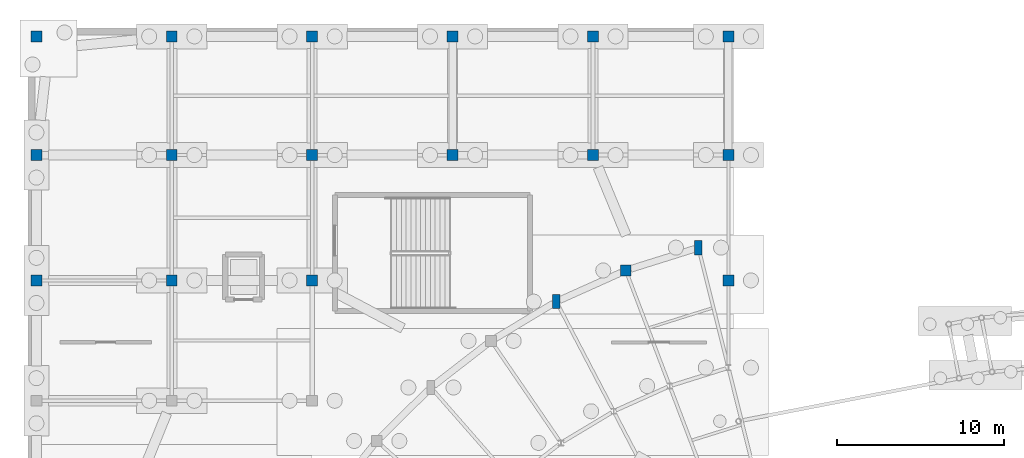
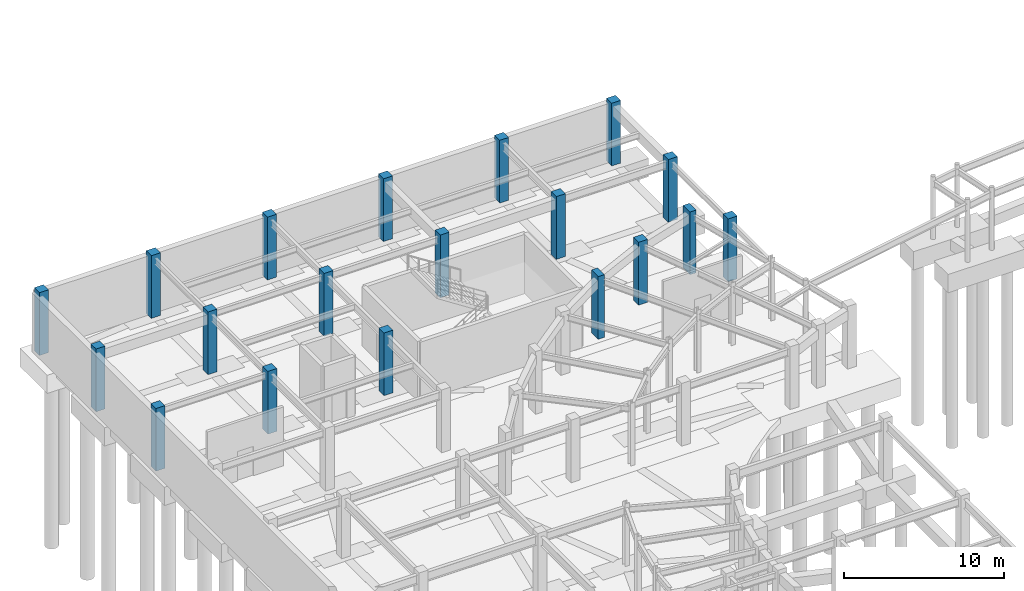
# One storey, part 19 of 68: 19 columns.
"""IFC4 building model written with IfcOpenShell, lengths in metres."""

from ifc_helpers import new_model, si_unit, direction, frame, origin, origin_2d, place, context, subcontext, project, spatial, rectangle, extrude, material, material_profile, profile_set, type_object, element, save


model = new_model("IFC4")

# Units and contexts
model_context = context("Model", 3, precision=1e-05, world=origin(), true_north=direction((0.0, 1.0)))
body_context = subcontext(model_context, "Body", "Model", "MODEL_VIEW")
ifc_project = project(units=[si_unit("LENGTHUNIT", "METRE"), si_unit("AREAUNIT", "SQUARE_METRE"), si_unit("VOLUMEUNIT", "CUBIC_METRE"), si_unit("PLANEANGLEUNIT", "RADIAN"), si_unit("MASSUNIT", "GRAM", prefix="KILO")], contexts=[model_context])

# Site, building, storey
site_placement = place(None, origin())
site = spatial("IfcSite", under=ifc_project, at=site_placement, CompositionType="ELEMENT")
building_placement = place(site_placement, origin())
building = spatial("IfcBuilding", under=site, at=building_placement, Name="Cinderbank Siding Concert Hall", CompositionType="ELEMENT")
storey_placement = place(building_placement, frame((0.0, 0.0, -4.800048828125)))
storey = spatial("IfcBuildingStorey", under=building, at=storey_placement, Name="B1", CompositionType="ELEMENT", Elevation=-4.800048828125)

# Columns
ifc_material = material(Name="Reinforced concrete AS 3600 N50 (50 MPa)", Category="concrete")
ifc_material_profile_1 = material_profile(ifc_material, rectangle(XDim=0.64990234375, YDim=0.64990234375, at=origin_2d()), Name="RC-COL-650x650", Category="LoadBearing")
ifc_profile_set_1 = profile_set([ifc_material_profile_1], Name="Reinforced concrete AS 3600 N50 (50 MPa)")
column_type_1 = type_object("IfcColumnType", Name="C-RC650 RC-COL-650x650", PredefinedType="COLUMN", material=ifc_profile_set_1)
for number, where, z_axis, x_axis, name in (
    (1, (42.364013671875, 103.89697265625, 0.0), (0.0, 0.0, 1.0), (1.0, 0.0, 0.0), "B1 Column COL-WOUT-02"),
    (2, (7.10009765625, 103.300048828125, 0.0), (0.0, 0.0, 1.0), (1.0, 0.0, 0.0), "B1 Column COL-NW-1-2"),
    (3, (7.10009765625, 110.800048828125, 0.0), (0.0, 0.0, 1.0), (1.0, 0.0, 0.0), "B1 Column COL-NW-1-3"),
    (4, (7.10009765625, 117.89990234375, 0.0), (0.0, 0.0, 1.0), (1.0, 0.0, 0.0), "B1 Column COL-NW-1-4"),
    (5, (15.199951171875, 103.300048828125, 0.0), (0.0, 0.0, 1.0), (1.0, 0.0, 0.0), "B1 Column COL-NW-2-2"),
    (6, (15.199951171875, 110.800048828125, 0.0), (0.0, 0.0, 1.0), (1.0, 0.0, 0.0), "B1 Column COL-NW-2-3"),
    (7, (15.199951171875, 117.89990234375, 0.0), (0.0, 0.0, 1.0), (1.0, 0.0, 0.0), "B1 Column COL-NW-2-4"),
    (8, (23.60009765625, 103.300048828125, 0.0), (0.0, 0.0, 1.0), (1.0, 0.0, 0.0), "B1 Column COL-NW-3-2"),
    (9, (23.60009765625, 110.800048828125, 0.0), (0.0, 0.0, 1.0), (1.0, 0.0, 0.0), "B1 Column COL-NW-3-3"),
    (10, (23.60009765625, 117.89990234375, 0.0), (0.0, 0.0, 1.0), (1.0, 0.0, 0.0), "B1 Column COL-NW-3-4"),
    (11, (32.0, 110.800048828125, 0.0), (0.0, 0.0, 1.0), (1.0, 0.0, 0.0), "B1 Column COL-NW-4-3"),
    (12, (32.0, 117.89990234375, 0.0), (0.0, 0.0, 1.0), (1.0, 0.0, 0.0), "B1 Column COL-NW-4-4"),
    (13, (40.39990234375, 110.800048828125, 0.0), (0.0, 0.0, 1.0), (1.0, 0.0, 0.0), "B1 Column COL-NW-5-3"),
    (14, (40.39990234375, 117.89990234375, 0.0), (0.0, 0.0, 1.0), (1.0, 0.0, 0.0), "B1 Column COL-NW-5-4"),
    (15, (48.5, 103.300048828125, 0.0), (0.0, 0.0, 1.0), (1.0, 0.0, 0.0), "B1 Column COL-NW-6-2"),
    (16, (48.5, 110.800048828125, 0.0), (0.0, 0.0, 1.0), (1.0, 0.0, 0.0), "B1 Column COL-NW-6-3"),
    (17, (48.5, 117.89990234375, 0.0), (0.0, 0.0, 1.0), (1.0, 0.0, 0.0), "B1 Column COL-NW-6-4"),
):
    element("IfcColumn", number, at=place(storey_placement, frame(where, z_axis=z_axis, x_axis=x_axis)), inside=storey, type_object=column_type_1, Name=name, PredefinedType="COLUMN", context=body_context, shape_type="SweptSolid", body=[
        extrude(rectangle(XDim=0.64990234375, YDim=0.64990234375, at=origin_2d()), origin(), (0.0, 0.0, 1.0), 4.800048828125),
    ])
ifc_material_profile_2 = material_profile(ifc_material, rectangle(XDim=0.449951171875, YDim=0.85009765625, at=origin_2d()), Name="RC-PIER-450x850", Category="LoadBearing")
ifc_profile_set_2 = profile_set([ifc_material_profile_2], Name="Reinforced concrete AS 3600 N50 (50 MPa)")
column_type_2 = type_object("IfcColumnType", Name="PL-RC850 RC-PIER-450x850", PredefinedType="PILASTER", material=ifc_profile_set_2)
for number, where, z_axis, x_axis, name in (
    (18, (46.7099609375, 105.259033203125, 0.0), (0.0, 0.0, 1.0), (1.0, 0.0, 0.0), "B1 Column COL-WOUT-01"),
    (19, (38.208984375, 102.030029296875, 0.0), (0.0, 0.0, 1.0), (1.0, 0.0, 0.0), "B1 Column COL-WOUT-03"),
):
    element("IfcColumn", number, at=place(storey_placement, frame(where, z_axis=z_axis, x_axis=x_axis)), inside=storey, type_object=column_type_2, Name=name, PredefinedType="PILASTER", context=body_context, shape_type="SweptSolid", body=[
        extrude(rectangle(XDim=0.449951171875, YDim=0.85009765625, at=origin_2d()), origin(), (0.0, 0.0, 1.0), 4.800048828125),
    ])

save(model, "model.ifc")
